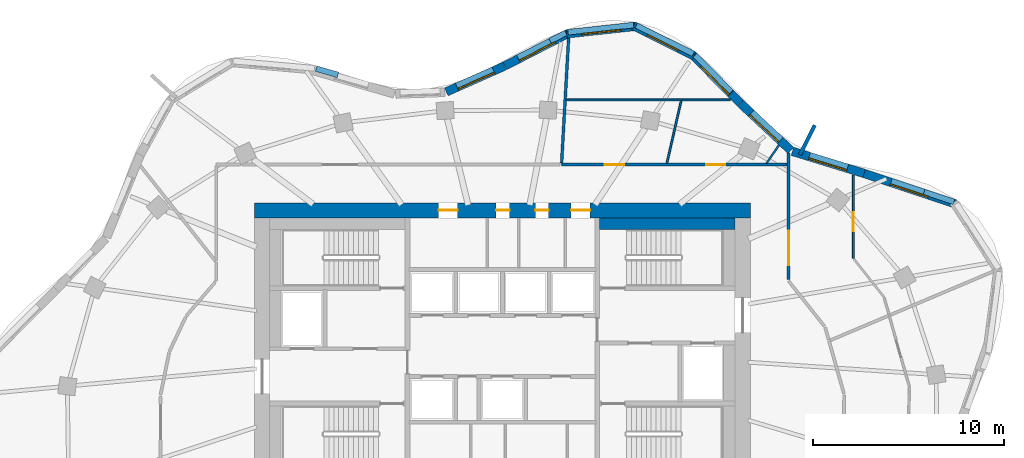
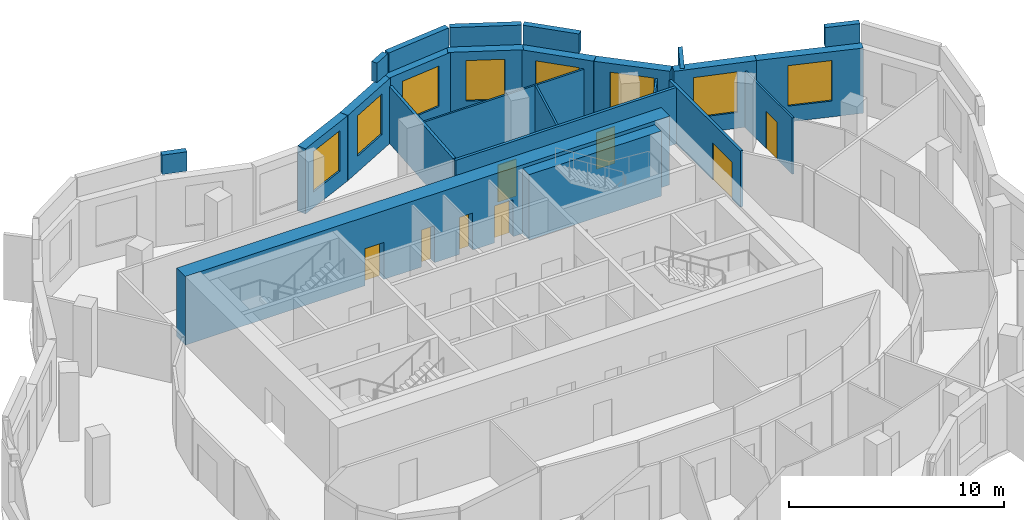
# One storey, part 8 of 10: 24 walls, 8 doors, 8 windows, 16 openings.
"""IFC4 building model written with IfcOpenShell, lengths in metres."""

from ifc_helpers import new_model, si_unit, direction, frame, frame_2d, origin, place, context, subcontext, project, spatial, rectangle, extrude, material, layer, layer_set, type_object, element, fill, save


model = new_model("IFC4")

# Units and contexts
model_context = context("Model", 3, precision=1e-05, world=origin(), true_north=direction((0.0, 1.0)))
body_context = subcontext(model_context, "Body", "Model", "MODEL_VIEW")
ifc_project = project(units=[si_unit("LENGTHUNIT", "METRE"), si_unit("AREAUNIT", "SQUARE_METRE"), si_unit("VOLUMEUNIT", "CUBIC_METRE"), si_unit("PLANEANGLEUNIT", "RADIAN"), si_unit("MASSUNIT", "GRAM", prefix="KILO")], contexts=[model_context])

# Site, building, storey
site_placement = place(None, origin())
site = spatial("IfcSite", under=ifc_project, at=site_placement, CompositionType="ELEMENT")
building_placement = place(site_placement, origin())
building = spatial("IfcBuilding", under=site, at=building_placement, Name="Rubra Terraces Tower", CompositionType="ELEMENT")
storey_placement = place(building_placement, frame((0.0, 0.0, 292.199951171875)))
storey = spatial("IfcBuildingStorey", under=building, at=storey_placement, Name="L72", CompositionType="ELEMENT", Elevation=292.199951171875)

# Wall, opening, window
ifc_material_1 = material(Name="Brick masonry red-brown", Category="masonry")
ifc_layer_1 = layer(ifc_material_1, 0.449951171875)
ifc_layer_set_1 = layer_set([ifc_layer_1], Name="Brick masonry red-brown")
wall_type_1 = type_object("IfcWallType", Name="Brick facade wall 450", PredefinedType="SOLIDWALL", material=ifc_layer_set_1)
wall_1_placement = place(storey_placement, frame((23.769775390625, 11.93798828125, 0.0), z_axis=(0.0, 0.0, 1.0), x_axis=(-0.948673679101, 0.316256621402, 0.0)))
wall_1 = element("IfcWall", 1, at=wall_1_placement, inside=storey, type_object=wall_type_1, Name="Facade wall L72 bay 4", PredefinedType="SOLIDWALL", context=body_context, shape_type="SweptSolid", body=[
    extrude(rectangle(XDim=5.076416015625, YDim=0.449951171875, at=frame_2d((2.5380859375, 0.0))), origin(), (0.0, 0.0, 1.0), 3.699951171875),
])
opening_1_placement = place(wall_1_placement, frame((1.48828125, 0.0, 0.89990234375)))
opening_1 = element("IfcOpeningElement", 2, at=opening_1_placement, cuts=wall_1, Name="Opening W1B", PredefinedType="OPENING", context=body_context, shape_type="SweptSolid", body=[
    extrude(rectangle(XDim=2.10009765625, YDim=2.300048828125, at=frame_2d((1.050048828125, 1.14990234375))), frame((0.0, 0.23486328125, 0.0), z_axis=(0.0, -1.0, 0.0), x_axis=(1.0, 0.0, 0.0)), (0.0, 0.0, 1.0), 0.469970703125),
])
ifc_material_2 = material(Name="Clear glass in aluminium frame", Category="aluminium")
window_type_1 = type_object("IfcWindowType", Name="Fixed deep-set window tall storey 2100 x 2300", PartitioningType="SINGLE_PANEL", PredefinedType="WINDOW", material=ifc_material_2)
window_1_placement = place(opening_1_placement, origin())
window_1 = element("IfcWindow", 3, at=window_1_placement, inside=storey, type_object=window_type_1, Name="Window L72 bay 4", OverallHeight=2.300048828125, OverallWidth=2.10009765625, PartitioningType="SINGLE_PANEL", PredefinedType="WINDOW", context=body_context, shape_type="SweptSolid", body=[
    extrude(rectangle(XDim=2.10009765625, YDim=2.300048828125, at=frame_2d((1.050048828125, 1.14990234375))), frame((0.0, 0.135009765625, 0.0), z_axis=(0.0, -1.0, 0.0), x_axis=(1.0, 0.0, 0.0)), (0.0, 0.0, 1.0), 0.06005859375),
])
fill(opening_1, window_1)

wall_2_placement = place(storey_placement, frame((18.95751953125, 13.542236328125, 0.0), z_axis=(0.0, 0.0, 1.0), x_axis=(-0.955792437529, 0.294042201668, 0.0)))
wall_2 = element("IfcWall", 4, at=wall_2_placement, inside=storey, type_object=wall_type_1, Name="Facade wall L72 bay 5", PredefinedType="SOLIDWALL", context=body_context, shape_type="SweptSolid", body=[
    extrude(rectangle(XDim=3.9306640625, YDim=0.449951171875, at=frame_2d((1.96533203125, 0.0))), origin(), (0.0, 0.0, 1.0), 3.699951171875),
])
opening_2_placement = place(wall_2_placement, frame((0.915283203125, 0.0, 0.89990234375)))
opening_2 = element("IfcOpeningElement", 5, at=opening_2_placement, cuts=wall_2, Name="Opening W1B", PredefinedType="OPENING", context=body_context, shape_type="SweptSolid", body=[
    extrude(rectangle(XDim=2.10009765625, YDim=2.300048828125, at=frame_2d((1.050048828125, 1.14990234375))), frame((0.0, 0.23486328125, 0.0), z_axis=(0.0, -1.0, 0.0), x_axis=(1.0, 0.0, 0.0)), (0.0, 0.0, 1.0), 0.469970703125),
])
window_2_placement = place(opening_2_placement, origin())
window_2 = element("IfcWindow", 6, at=window_2_placement, inside=storey, type_object=window_type_1, Name="Window L72 bay 5", OverallHeight=2.300048828125, OverallWidth=2.10009765625, PartitioningType="SINGLE_PANEL", PredefinedType="WINDOW", context=body_context, shape_type="SweptSolid", body=[
    extrude(rectangle(XDim=2.10009765625, YDim=2.300048828125, at=frame_2d((1.050048828125, 1.14990234375))), frame((0.0, 0.135009765625, 0.0), z_axis=(0.0, -1.0, 0.0), x_axis=(1.0, 0.0, 0.0)), (0.0, 0.0, 1.0), 0.06005859375),
])
fill(opening_2, window_2)

wall_3_placement = place(storey_placement, frame((15.120849609375, 14.744873046875, 0.0), z_axis=(0.0, 0.0, 1.0), x_axis=(-0.730618259172, 0.68278617397, 0.0)))
wall_3 = element("IfcWall", 7, at=wall_3_placement, inside=storey, type_object=wall_type_1, Name="Facade wall L72 bay 6", PredefinedType="SOLIDWALL", context=body_context, shape_type="SweptSolid", body=[
    extrude(rectangle(XDim=3.6240234375, YDim=0.449951171875, at=frame_2d((1.81201171875, 0.0))), origin(), (0.0, 0.0, 1.0), 3.699951171875),
])
opening_3_placement = place(wall_3_placement, frame((0.76220703125, 0.0, 0.89990234375)))
opening_3 = element("IfcOpeningElement", 8, at=opening_3_placement, cuts=wall_3, Name="Opening W1B", PredefinedType="OPENING", context=body_context, shape_type="SweptSolid", body=[
    extrude(rectangle(XDim=2.10009765625, YDim=2.300048828125, at=frame_2d((1.050048828125, 1.14990234375))), frame((0.0, 0.23486328125, 0.0), z_axis=(0.0, -1.0, 0.0), x_axis=(1.0, 0.0, 0.0)), (0.0, 0.0, 1.0), 0.469970703125),
])
window_3_placement = place(opening_3_placement, origin())
window_3 = element("IfcWindow", 9, at=window_3_placement, inside=storey, type_object=window_type_1, Name="Window L72 bay 6", OverallHeight=2.300048828125, OverallWidth=2.10009765625, PartitioningType="SINGLE_PANEL", PredefinedType="WINDOW", context=body_context, shape_type="SweptSolid", body=[
    extrude(rectangle(XDim=2.10009765625, YDim=2.300048828125, at=frame_2d((1.050048828125, 1.14990234375))), frame((0.0, 0.135009765625, 0.0), z_axis=(0.0, -1.0, 0.0), x_axis=(1.0, 0.0, 0.0)), (0.0, 0.0, 1.0), 0.06005859375),
])
fill(opening_3, window_3)

wall_4_placement = place(storey_placement, frame((12.46630859375, 17.2255859375, 0.0), z_axis=(0.0, 0.0, 1.0), x_axis=(-0.701875966769, 0.712299183821, 0.0)))
wall_4 = element("IfcWall", 10, at=wall_4_placement, inside=storey, type_object=wall_type_1, Name="Facade wall L72 bay 7", PredefinedType="SOLIDWALL", context=body_context, shape_type="SweptSolid", body=[
    extrude(rectangle(XDim=3.536865234375, YDim=0.449951171875, at=frame_2d((1.7685546875, 0.0))), origin(), (0.0, 0.0, 1.0), 3.699951171875),
])
opening_4_placement = place(wall_4_placement, frame((0.71826171875, 0.0, 0.89990234375)))
opening_4 = element("IfcOpeningElement", 11, at=opening_4_placement, cuts=wall_4, Name="Opening W1B", PredefinedType="OPENING", context=body_context, shape_type="SweptSolid", body=[
    extrude(rectangle(XDim=2.10009765625, YDim=2.300048828125, at=frame_2d((1.050048828125, 1.14990234375))), frame((0.0, 0.23486328125, 0.0), z_axis=(0.0, -1.0, 0.0), x_axis=(1.0, 0.0, 0.0)), (0.0, 0.0, 1.0), 0.469970703125),
])
window_4_placement = place(opening_4_placement, origin())
window_4 = element("IfcWindow", 12, at=window_4_placement, inside=storey, type_object=window_type_1, Name="Window L72 bay 7", OverallHeight=2.300048828125, OverallWidth=2.10009765625, PartitioningType="SINGLE_PANEL", PredefinedType="WINDOW", context=body_context, shape_type="SweptSolid", body=[
    extrude(rectangle(XDim=2.10009765625, YDim=2.300048828125, at=frame_2d((1.050048828125, 1.14990234375))), frame((0.0, 0.135009765625, 0.0), z_axis=(0.0, -1.0, 0.0), x_axis=(1.0, 0.0, 0.0)), (0.0, 0.0, 1.0), 0.06005859375),
])
fill(opening_4, window_4)

wall_5_placement = place(storey_placement, frame((10.041748046875, 19.70361328125, 0.0), z_axis=(0.0, 0.0, 1.0), x_axis=(-0.895268695224, 0.445526613517, 0.0)))
wall_5 = element("IfcWall", 13, at=wall_5_placement, inside=storey, type_object=wall_type_1, Name="Facade wall L72 bay 8", PredefinedType="SOLIDWALL", context=body_context, shape_type="SweptSolid", body=[
    extrude(rectangle(XDim=3.532958984375, YDim=0.449951171875, at=frame_2d((1.7666015625, 0.0))), origin(), (0.0, 0.0, 1.0), 3.699951171875),
])
opening_5_placement = place(wall_5_placement, frame((0.866455078125, 0.0, 0.89990234375)))
opening_5 = element("IfcOpeningElement", 14, at=opening_5_placement, cuts=wall_5, Name="Opening W6B", PredefinedType="OPENING", context=body_context, shape_type="SweptSolid", body=[
    extrude(rectangle(XDim=1.800048828125, YDim=2.300048828125, at=frame_2d((0.89990234375, 1.14990234375))), frame((0.0, 0.23486328125, 0.0), z_axis=(0.0, -1.0, 0.0), x_axis=(1.0, 0.0, 0.0)), (0.0, 0.0, 1.0), 0.469970703125),
])
window_type_2 = type_object("IfcWindowType", Name="Fixed deep-set window at wind fin tall storey 1800 x 2300", PartitioningType="SINGLE_PANEL", PredefinedType="WINDOW", material=ifc_material_2)
window_5_placement = place(opening_5_placement, origin())
window_5 = element("IfcWindow", 15, at=window_5_placement, inside=storey, type_object=window_type_2, Name="Window L72 bay 8", OverallHeight=2.300048828125, OverallWidth=1.800048828125, PartitioningType="SINGLE_PANEL", PredefinedType="WINDOW", context=body_context, shape_type="SweptSolid", body=[
    extrude(rectangle(XDim=1.800048828125, YDim=2.300048828125, at=frame_2d((0.89990234375, 1.14990234375))), frame((0.0, 0.135009765625, 0.0), z_axis=(0.0, -1.0, 0.0), x_axis=(1.0, 0.0, 0.0)), (0.0, 0.0, 1.0), 0.06005859375),
])
fill(opening_5, window_5)

wall_6_placement = place(storey_placement, frame((7.00341796875, 21.25537109375, 0.0), z_axis=(0.0, 0.0, 1.0), x_axis=(-0.99407653264, -0.108682322638, 0.0)))
wall_6 = element("IfcWall", 16, at=wall_6_placement, inside=storey, type_object=wall_type_1, Name="Facade wall L72 bay 9", PredefinedType="SOLIDWALL", context=body_context, shape_type="SweptSolid", body=[
    extrude(rectangle(XDim=3.66162109375, YDim=0.449951171875, at=frame_2d((1.830810546875, 0.0))), origin(), (0.0, 0.0, 1.0), 3.699951171875),
])
opening_6_placement = place(wall_6_placement, frame((0.78076171875, 0.0, 0.89990234375)))
opening_6 = element("IfcOpeningElement", 17, at=opening_6_placement, cuts=wall_6, Name="Opening W1B", PredefinedType="OPENING", context=body_context, shape_type="SweptSolid", body=[
    extrude(rectangle(XDim=2.10009765625, YDim=2.300048828125, at=frame_2d((1.050048828125, 1.14990234375))), frame((0.0, 0.23486328125, 0.0), z_axis=(0.0, -1.0, 0.0), x_axis=(1.0, 0.0, 0.0)), (0.0, 0.0, 1.0), 0.469970703125),
])
window_6_placement = place(opening_6_placement, origin())
window_6 = element("IfcWindow", 18, at=window_6_placement, inside=storey, type_object=window_type_1, Name="Window L72 bay 9", OverallHeight=2.300048828125, OverallWidth=2.10009765625, PartitioningType="SINGLE_PANEL", PredefinedType="WINDOW", context=body_context, shape_type="SweptSolid", body=[
    extrude(rectangle(XDim=2.10009765625, YDim=2.300048828125, at=frame_2d((1.050048828125, 1.14990234375))), frame((0.0, 0.135009765625, 0.0), z_axis=(0.0, -1.0, 0.0), x_axis=(1.0, 0.0, 0.0)), (0.0, 0.0, 1.0), 0.06005859375),
])
fill(opening_6, window_6)

wall_7_placement = place(storey_placement, frame((3.439697265625, 20.879638671875, 0.0), z_axis=(0.0, 0.0, 1.0), x_axis=(-0.889471529144, -0.456990589446, 0.0)))
wall_7 = element("IfcWall", 19, at=wall_7_placement, inside=storey, type_object=wall_type_1, Name="Facade wall L72 bay 10", PredefinedType="SOLIDWALL", context=body_context, shape_type="SweptSolid", body=[
    extrude(rectangle(XDim=3.7353515625, YDim=0.449951171875, at=frame_2d((1.86767578125, 0.0))), origin(), (0.0, 0.0, 1.0), 3.699951171875),
])
opening_7_placement = place(wall_7_placement, frame((0.817626953125, 0.0, 0.89990234375)))
opening_7 = element("IfcOpeningElement", 20, at=opening_7_placement, cuts=wall_7, Name="Opening W1B", PredefinedType="OPENING", context=body_context, shape_type="SweptSolid", body=[
    extrude(rectangle(XDim=2.10009765625, YDim=2.300048828125, at=frame_2d((1.050048828125, 1.14990234375))), frame((0.0, 0.23486328125, 0.0), z_axis=(0.0, -1.0, 0.0), x_axis=(1.0, 0.0, 0.0)), (0.0, 0.0, 1.0), 0.469970703125),
])
window_7_placement = place(opening_7_placement, origin())
window_7 = element("IfcWindow", 21, at=window_7_placement, inside=storey, type_object=window_type_1, Name="Window L72 bay 10", OverallHeight=2.300048828125, OverallWidth=2.10009765625, PartitioningType="SINGLE_PANEL", PredefinedType="WINDOW", context=body_context, shape_type="SweptSolid", body=[
    extrude(rectangle(XDim=2.10009765625, YDim=2.300048828125, at=frame_2d((1.050048828125, 1.14990234375))), frame((0.0, 0.135009765625, 0.0), z_axis=(0.0, -1.0, 0.0), x_axis=(1.0, 0.0, 0.0)), (0.0, 0.0, 1.0), 0.06005859375),
])
fill(opening_7, window_7)

wall_8_placement = place(storey_placement, frame((0.105224609375, 19.1669921875, 0.0), z_axis=(0.0, 0.0, 1.0), x_axis=(-0.91414046241, -0.405397601109, 0.0)))
wall_8 = element("IfcWall", 22, at=wall_8_placement, inside=storey, type_object=wall_type_1, Name="Facade wall L72 bay 11", PredefinedType="SOLIDWALL", context=body_context, shape_type="SweptSolid", body=[
    extrude(rectangle(XDim=3.333251953125, YDim=0.449951171875, at=frame_2d((1.66650390625, 0.0))), origin(), (0.0, 0.0, 1.0), 3.699951171875),
])
opening_8_placement = place(wall_8_placement, frame((0.61669921875, 0.0, 0.89990234375)))
opening_8 = element("IfcOpeningElement", 23, at=opening_8_placement, cuts=wall_8, Name="Opening W1B", PredefinedType="OPENING", context=body_context, shape_type="SweptSolid", body=[
    extrude(rectangle(XDim=2.10009765625, YDim=2.300048828125, at=frame_2d((1.050048828125, 1.14990234375))), frame((0.0, 0.23486328125, 0.0), z_axis=(0.0, -1.0, 0.0), x_axis=(1.0, 0.0, 0.0)), (0.0, 0.0, 1.0), 0.469970703125),
])
window_8_placement = place(opening_8_placement, origin())
window_8 = element("IfcWindow", 24, at=window_8_placement, inside=storey, type_object=window_type_1, Name="Window L72 bay 11", OverallHeight=2.300048828125, OverallWidth=2.10009765625, PartitioningType="SINGLE_PANEL", PredefinedType="WINDOW", context=body_context, shape_type="SweptSolid", body=[
    extrude(rectangle(XDim=2.10009765625, YDim=2.300048828125, at=frame_2d((1.050048828125, 1.14990234375))), frame((0.0, 0.135009765625, 0.0), z_axis=(0.0, -1.0, 0.0), x_axis=(1.0, 0.0, 0.0)), (0.0, 0.0, 1.0), 0.06005859375),
])
fill(opening_8, window_8)

# Walls
ifc_layer_2 = layer(ifc_material_1, 0.300048828125)
ifc_layer_set_2 = layer_set([ifc_layer_2], Name="Brick masonry red-brown")
wall_type_2 = type_object("IfcWallType", Name="Brick parapet 300", PredefinedType="PARAPET", material=ifc_layer_set_2)
wall_9_placement = place(storey_placement, frame((23.669677734375, 12.05029296875, 3.900146484375), z_axis=(0.0, 0.0, 1.0), x_axis=(-0.948683298051, 0.316227766017, 0.0)))
element("IfcWall", 25, at=wall_9_placement, inside=storey, type_object=wall_type_2, Name="Parapet L72 bay 4", PredefinedType="PARAPET", context=body_context, shape_type="SweptSolid", body=[
    extrude(rectangle(XDim=1.654541015625, YDim=0.300048828125, at=frame_2d((0.8271484375, 0.0))), origin(), (0.0, 0.0, 1.0), 1.099853515625),
])
wall_10_placement = place(storey_placement, frame((12.00048828125, 17.805419921875, 3.900146484375), z_axis=(0.0, 0.0, 1.0), x_axis=(-0.701926718972, 0.712249170721, 0.0)))
element("IfcWall", 26, at=wall_10_placement, inside=storey, type_object=wall_type_2, Name="Parapet L72 bay 7", PredefinedType="PARAPET", context=body_context, shape_type="SweptSolid", body=[
    extrude(rectangle(XDim=2.719970703125, YDim=0.300048828125, at=frame_2d((1.35986328125, 0.0))), origin(), (0.0, 0.0, 1.0), 1.099853515625),
])
wall_11_placement = place(storey_placement, frame((10.00341796875, 19.806396484375, 3.900146484375), z_axis=(0.0, 0.0, 1.0), x_axis=(-0.895289404401, 0.445484996793, 0.0)))
element("IfcWall", 27, at=wall_11_placement, inside=storey, type_object=wall_type_2, Name="Parapet L72 bay 8", PredefinedType="PARAPET", context=body_context, shape_type="SweptSolid", body=[
    extrude(rectangle(XDim=3.334716796875, YDim=0.300048828125, at=frame_2d((1.66748046875, 0.0))), origin(), (0.0, 0.0, 1.0), 1.099853515625),
])
wall_12_placement = place(storey_placement, frame((6.8779296875, 21.317138671875, 3.900146484375), z_axis=(0.0, 0.0, 1.0), x_axis=(-0.994072526282, -0.108718961045, 0.0)))
element("IfcWall", 28, at=wall_12_placement, inside=storey, type_object=wall_type_2, Name="Parapet L72 bay 9", PredefinedType="PARAPET", context=body_context, shape_type="SweptSolid", body=[
    extrude(rectangle(XDim=3.458251953125, YDim=0.300048828125, at=frame_2d((1.72900390625, 0.0))), origin(), (0.0, 0.0, 1.0), 1.099853515625),
])
wall_13_placement = place(storey_placement, frame((3.33154296875, 20.908447265625, 3.900146484375), z_axis=(0.0, 0.0, 1.0), x_axis=(-0.88945787834, -0.457017157948, 0.0)))
element("IfcWall", 29, at=wall_13_placement, inside=storey, type_object=wall_type_2, Name="Parapet L72 bay 10", PredefinedType="PARAPET", context=body_context, shape_type="SweptSolid", body=[
    extrude(rectangle(XDim=0.933837890625, YDim=0.300048828125, at=frame_2d((0.466796875, 0.0))), origin(), (0.0, 0.0, 1.0), 1.099853515625),
])
wall_14_placement = place(storey_placement, frame((-8.618896484375, 18.704345703125, 3.900146484375), z_axis=(0.0, 0.0, 1.0), x_axis=(-0.961097843869, 0.276208136212, 0.0)))
element("IfcWall", 30, at=wall_14_placement, inside=storey, type_object=wall_type_2, Name="Parapet L72 bay 13", PredefinedType="PARAPET", context=body_context, shape_type="SweptSolid", body=[
    extrude(rectangle(XDim=1.1923828125, YDim=0.300048828125, at=frame_2d((0.59619140625, 0.0))), origin(), (0.0, 0.0, 1.0), 1.099853515625),
])
ifc_layer_3 = layer(ifc_material_1, 0.199951171875)
ifc_layer_set_3 = layer_set([ifc_layer_3], Name="Brick masonry red-brown")
wall_type_3 = type_object("IfcWallType", Name="Brick wind fin 200", PredefinedType="SOLIDWALL", material=ifc_layer_set_3)
wall_15_placement = place(storey_placement, frame((15.5869140625, 14.507080078125, 0.0), z_axis=(0.0, 0.0, 1.0), x_axis=(0.452117231361, 0.89195852432, 0.0)))
element("IfcWall", 31, at=wall_15_placement, inside=storey, type_object=wall_type_3, Name="Wind fin L72 3", PredefinedType="SOLIDWALL", context=body_context, shape_type="SweptSolid", body=[
    extrude(rectangle(XDim=1.75, YDim=0.199951171875, at=frame_2d((0.875, 0.0))), origin(), (0.0, 0.0, 1.0), 3.699951171875),
])

# Wall, openings, doors
ifc_material_3 = material(Name="Concrete C50", Category="concrete")
ifc_layer_4 = layer(ifc_material_3, 0.800048828125)
ifc_layer_set_4 = layer_set([ifc_layer_4], Name="Concrete C50")
wall_type_4 = type_object("IfcWallType", Name="CORE WALL 800 C50", PredefinedType="SHEAR", material=ifc_layer_set_4)
wall_16_placement = place(storey_placement, frame((-13.0, 11.60009765625, 0.0), z_axis=(0.0, 0.0, 1.0), x_axis=(1.0, 0.0, 0.0)))
wall_16 = element("IfcWall", 32, at=wall_16_placement, inside=storey, type_object=wall_type_4, Name="CORE WALL N L72", PredefinedType="SHEAR", context=body_context, shape_type="SweptSolid", body=[
    extrude(rectangle(XDim=26.0, YDim=0.800048828125, at=frame_2d((13.0, 0.0))), origin(), (0.0, 0.0, 1.0), 3.900146484375),
])
opening_9_placement = place(wall_16_placement, frame((9.64990234375, 0.0, 0.0)))
opening_9 = element("IfcOpeningElement", 33, at=opening_9_placement, cuts=wall_16, Name="Opening L72.C25", PredefinedType="OPENING", context=body_context, shape_type="SweptSolid", body=[
    extrude(rectangle(XDim=1.0, YDim=2.10009765625, at=frame_2d((0.5, 1.050048828125))), frame((0.0, 0.409912109375, 0.0), z_axis=(0.0, -1.0, 0.0), x_axis=(1.0, 0.0, 0.0)), (0.0, 0.0, 1.0), 0.820068359375),
])
opening_10_placement = place(wall_16_placement, frame((12.675048828125, 0.0, 0.0)))
opening_10 = element("IfcOpeningElement", 34, at=opening_10_placement, cuts=wall_16, Name="Opening L72.C26", PredefinedType="OPENING", context=body_context, shape_type="SweptSolid", body=[
    extrude(rectangle(XDim=0.699951171875, YDim=2.10009765625, at=frame_2d((0.35009765625, 1.050048828125))), frame((0.0, 0.409912109375, 0.0), z_axis=(0.0, -1.0, 0.0), x_axis=(1.0, 0.0, 0.0)), (0.0, 0.0, 1.0), 0.820068359375),
])
opening_11_placement = place(wall_16_placement, frame((14.72509765625, 0.0, 0.0)))
opening_11 = element("IfcOpeningElement", 35, at=opening_11_placement, cuts=wall_16, Name="Opening L72.C27", PredefinedType="OPENING", context=body_context, shape_type="SweptSolid", body=[
    extrude(rectangle(XDim=0.699951171875, YDim=2.10009765625, at=frame_2d((0.35009765625, 1.050048828125))), frame((0.0, 0.409912109375, 0.0), z_axis=(0.0, -1.0, 0.0), x_axis=(1.0, 0.0, 0.0)), (0.0, 0.0, 1.0), 0.820068359375),
])
opening_12_placement = place(wall_16_placement, frame((16.60009765625, 0.0, 0.0)))
opening_12 = element("IfcOpeningElement", 36, at=opening_12_placement, cuts=wall_16, Name="Opening L72.C28", PredefinedType="OPENING", context=body_context, shape_type="SweptSolid", body=[
    extrude(rectangle(XDim=1.0, YDim=2.10009765625, at=frame_2d((0.5, 1.050048828125))), frame((0.0, 0.409912109375, 0.0), z_axis=(0.0, -1.0, 0.0), x_axis=(1.0, 0.0, 0.0)), (0.0, 0.0, 1.0), 0.820068359375),
])
ifc_material_4 = material(Name="Painted steel", Category="steel")
door_type_1 = type_object("IfcDoorType", Name="Fire door 1000x2100 single", OperationType="NOTDEFINED", PredefinedType="DOOR", material=ifc_material_4)
door_1_placement = place(opening_9_placement, origin())
door_1 = element("IfcDoor", 37, at=door_1_placement, inside=storey, type_object=door_type_1, Name="Tea point door", OperationType="SINGLE_SWING_LEFT", OverallHeight=2.10009765625, OverallWidth=1.0, PredefinedType="DOOR", context=body_context, shape_type="SweptSolid", body=[
    extrude(rectangle(XDim=1.0, YDim=2.10009765625, at=frame_2d((0.5, 1.050048828125))), frame((0.0, 0.02490234375, 0.0), z_axis=(0.0, -1.0, 0.0), x_axis=(1.0, 0.0, 0.0)), (0.0, 0.0, 1.0), 0.050048828125),
])
fill(opening_9, door_1)
door_2_placement = place(opening_12_placement, origin())
door_2 = element("IfcDoor", 38, at=door_2_placement, inside=storey, type_object=door_type_1, Name="General store door", OperationType="SINGLE_SWING_RIGHT", OverallHeight=2.10009765625, OverallWidth=1.0, PredefinedType="DOOR", context=body_context, shape_type="SweptSolid", body=[
    extrude(rectangle(XDim=1.0, YDim=2.10009765625, at=frame_2d((0.5, 1.050048828125))), frame((0.0, 0.02490234375, 0.0), z_axis=(0.0, -1.0, 0.0), x_axis=(1.0, 0.0, 0.0)), (0.0, 0.0, 1.0), 0.050048828125),
])
fill(opening_12, door_2)
door_type_2 = type_object("IfcDoorType", Name="Riser access door 700x2100 single", OperationType="NOTDEFINED", PredefinedType="DOOR", material=ifc_material_4)
door_3_placement = place(opening_10_placement, origin())
door_3 = element("IfcDoor", 39, at=door_3_placement, inside=storey, type_object=door_type_2, Name="Electrical riser room door", OperationType="SINGLE_SWING_RIGHT", OverallHeight=2.10009765625, OverallWidth=0.699951171875, PredefinedType="DOOR", context=body_context, shape_type="SweptSolid", body=[
    extrude(rectangle(XDim=0.699951171875, YDim=2.10009765625, at=frame_2d((0.35009765625, 1.050048828125))), frame((0.0, 0.02490234375, 0.0), z_axis=(0.0, -1.0, 0.0), x_axis=(1.0, 0.0, 0.0)), (0.0, 0.0, 1.0), 0.050048828125),
])
fill(opening_10, door_3)
door_4_placement = place(opening_11_placement, origin())
door_4 = element("IfcDoor", 40, at=door_4_placement, inside=storey, type_object=door_type_2, Name="Telecoms room door", OperationType="SINGLE_SWING_LEFT", OverallHeight=2.10009765625, OverallWidth=0.699951171875, PredefinedType="DOOR", context=body_context, shape_type="SweptSolid", body=[
    extrude(rectangle(XDim=0.699951171875, YDim=2.10009765625, at=frame_2d((0.35009765625, 1.050048828125))), frame((0.0, 0.02490234375, 0.0), z_axis=(0.0, -1.0, 0.0), x_axis=(1.0, 0.0, 0.0)), (0.0, 0.0, 1.0), 0.050048828125),
])
fill(opening_11, door_4)

# Wall, opening, door
ifc_material_5 = material(Name="Plasterboard on steel stud, mineral wool infill", Category="steel")
ifc_layer_5 = layer(ifc_material_5, 0.14990234375)
ifc_layer_set_5 = layer_set([ifc_layer_5], Name="Plasterboard on steel stud, mineral wool infill")
wall_type_5 = type_object("IfcWallType", Name="CORRIDOR PARTITION 150", PredefinedType="PARTITIONING", material=ifc_layer_set_5)
wall_17_placement = place(storey_placement, frame((15.0, 7.979248046875, 0.0), z_axis=(0.0, 0.0, 1.0), x_axis=(0.0, 1.0, 0.0)))
wall_17 = element("IfcWall", 41, at=wall_17_placement, inside=storey, type_object=wall_type_5, Name="PARTITION", PredefinedType="PARTITIONING", context=body_context, shape_type="SweptSolid", body=[
    extrude(rectangle(XDim=6.626220703125, YDim=0.14990234375, at=frame_2d((3.31298828125, 0.0))), origin(), (0.0, 0.0, 1.0), 3.197998046875),
])
opening_13_placement = place(wall_17_placement, frame((0.759033203125, 0.0, 0.0)))
opening_13 = element("IfcOpeningElement", 42, at=opening_13_placement, cuts=wall_17, Name="Opening 72-111", PredefinedType="OPENING", context=body_context, shape_type="SweptSolid", body=[
    extrude(rectangle(XDim=1.800048828125, YDim=2.10009765625, at=frame_2d((0.89990234375, 1.050048828125))), frame((0.0, 0.0849609375, 0.0), z_axis=(0.0, -1.0, 0.0), x_axis=(1.0, 0.0, 0.0)), (0.0, 0.0, 1.0), 0.169921875),
])
ifc_material_6 = material(Name="Painted timber door leaf, double", Category="wood")
door_type_3 = type_object("IfcDoorType", Name="ROOM DOUBLE DOOR 1800 X 2100", OperationType="DOUBLE_DOOR_SINGLE_SWING", PredefinedType="DOOR", material=ifc_material_6)
door_5_placement = place(opening_13_placement, origin())
door_5 = element("IfcDoor", 43, at=door_5_placement, inside=storey, type_object=door_type_3, Name="DOOR 72-111", OperationType="DOUBLE_DOOR_SINGLE_SWING", OverallHeight=2.10009765625, OverallWidth=1.800048828125, PredefinedType="DOOR", context=body_context, shape_type="SweptSolid", body=[
    extrude(rectangle(XDim=1.800048828125, YDim=2.10009765625, at=frame_2d((0.89990234375, 1.050048828125))), frame((0.0, 0.02490234375, 0.0), z_axis=(0.0, -1.0, 0.0), x_axis=(1.0, 0.0, 0.0)), (0.0, 0.0, 1.0), 0.050048828125),
])
fill(opening_13, door_5)

# Wall, openings, doors
wall_18_placement = place(storey_placement, frame((14.925048828125, 14.0, 0.0), z_axis=(0.0, 0.0, 1.0), x_axis=(-1.0, 0.0, 0.0)))
wall_18 = element("IfcWall", 44, at=wall_18_placement, inside=storey, type_object=wall_type_5, Name="PARTITION", PredefinedType="PARTITIONING", context=body_context, shape_type="SweptSolid", body=[
    extrude(rectangle(XDim=11.8271484375, YDim=0.14990234375, at=frame_2d((5.91357421875, 0.0))), origin(), (0.0, 0.0, 1.0), 3.197998046875),
])
opening_14_placement = place(wall_18_placement, frame((3.25, 0.0, 0.0)))
opening_14 = element("IfcOpeningElement", 45, at=opening_14_placement, cuts=wall_18, Name="Opening 72-120", PredefinedType="OPENING", context=body_context, shape_type="SweptSolid", body=[
    extrude(rectangle(XDim=1.0, YDim=2.10009765625, at=frame_2d((0.5, 1.050048828125))), frame((0.0, 0.0849609375, 0.0), z_axis=(0.0, -1.0, 0.0), x_axis=(1.0, 0.0, 0.0)), (0.0, 0.0, 1.0), 0.169921875),
])
opening_15_placement = place(wall_18_placement, frame((8.550048828125, 0.0, 0.0)))
opening_15 = element("IfcOpeningElement", 46, at=opening_15_placement, cuts=wall_18, Name="Opening 72-121", PredefinedType="OPENING", context=body_context, shape_type="SweptSolid", body=[
    extrude(rectangle(XDim=1.0, YDim=2.10009765625, at=frame_2d((0.5, 1.050048828125))), frame((0.0, 0.0849609375, 0.0), z_axis=(0.0, -1.0, 0.0), x_axis=(1.0, 0.0, 0.0)), (0.0, 0.0, 1.0), 0.169921875),
])
ifc_material_7 = material(Name="Painted timber door leaf", Category="wood")
door_type_4 = type_object("IfcDoorType", Name="ROOM DOOR 1000 X 2100", OperationType="SINGLE_SWING_LEFT", PredefinedType="DOOR", material=ifc_material_7)
door_6_placement = place(opening_14_placement, origin())
door_6 = element("IfcDoor", 47, at=door_6_placement, inside=storey, type_object=door_type_4, Name="DOOR 72-120", OperationType="SINGLE_SWING_RIGHT", OverallHeight=2.10009765625, OverallWidth=1.0, PredefinedType="DOOR", context=body_context, shape_type="SweptSolid", body=[
    extrude(rectangle(XDim=1.0, YDim=2.10009765625, at=frame_2d((0.5, 1.050048828125))), frame((0.0, 0.02490234375, 0.0), z_axis=(0.0, -1.0, 0.0), x_axis=(1.0, 0.0, 0.0)), (0.0, 0.0, 1.0), 0.050048828125),
])
fill(opening_14, door_6)
door_7_placement = place(opening_15_placement, origin())
door_7 = element("IfcDoor", 48, at=door_7_placement, inside=storey, type_object=door_type_4, Name="DOOR 72-121", OperationType="SINGLE_SWING_RIGHT", OverallHeight=2.10009765625, OverallWidth=1.0, PredefinedType="DOOR", context=body_context, shape_type="SweptSolid", body=[
    extrude(rectangle(XDim=1.0, YDim=2.10009765625, at=frame_2d((0.5, 1.050048828125))), frame((0.0, 0.02490234375, 0.0), z_axis=(0.0, -1.0, 0.0), x_axis=(1.0, 0.0, 0.0)), (0.0, 0.0, 1.0), 0.050048828125),
])
fill(opening_15, door_7)

# Walls
ifc_material_8 = material(Name="Concrete C40", Category="concrete")
ifc_layer_6 = layer(ifc_material_8, 0.60009765625)
ifc_layer_set_6 = layer_set([ifc_layer_6], Name="Concrete C40")
wall_type_6 = type_object("IfcWallType", Name="Core lining wall 600 concrete", PredefinedType="SOLIDWALL", material=ifc_layer_set_6)
wall_19_placement = place(storey_placement, frame((12.199951171875, 10.89990234375, 0.0), z_axis=(0.0, 0.0, 1.0), x_axis=(-1.0, 0.0, 0.0)))
element("IfcWall", 49, at=wall_19_placement, inside=storey, type_object=wall_type_6, Name="CORE LINING WALL L72", PredefinedType="SOLIDWALL", context=body_context, shape_type="SweptSolid", body=[
    extrude(rectangle(XDim=7.099853515625, YDim=0.60009765625, at=frame_2d((3.5498046875, 0.0))), origin(), (0.0, 0.0, 1.0), 3.699951171875),
])
ifc_material_9 = material(Name="Plasterboard on steel stud", Category="steel")
ifc_layer_7 = layer(ifc_material_9, 0.10009765625)
ifc_layer_set_7 = layer_set([ifc_layer_7], Name="Plasterboard on steel stud")
wall_type_7 = type_object("IfcWallType", Name="ROOM PARTITION 100", PredefinedType="PARTITIONING", material=ifc_layer_set_7)
wall_20_placement = place(storey_placement, frame((3.30859375, 17.39990234375, 0.0), z_axis=(0.0, 0.0, 1.0), x_axis=(1.0, 0.0, 0.0)))
element("IfcWall", 50, at=wall_20_placement, inside=storey, type_object=wall_type_7, Name="PARTITION", PredefinedType="PARTITIONING", context=body_context, shape_type="SweptSolid", body=[
    extrude(rectangle(XDim=8.64208984375, YDim=0.10009765625, at=frame_2d((4.321044921875, 0.0))), origin(), (0.0, 0.0, 1.0), 3.197998046875),
])

# Wall, opening, door
wall_21_placement = place(storey_placement, frame((18.39990234375, 13.45751953125, 0.0), z_axis=(0.0, 0.0, 1.0), x_axis=(0.0, -1.0, 0.0)))
wall_21 = element("IfcWall", 51, at=wall_21_placement, inside=storey, type_object=wall_type_7, Name="PARTITION", PredefinedType="PARTITIONING", context=body_context, shape_type="SweptSolid", body=[
    extrude(rectangle(XDim=4.371826171875, YDim=0.10009765625, at=frame_2d((2.18603515625, 0.0))), origin(), (0.0, 0.0, 1.0), 3.197998046875),
])
opening_16_placement = place(wall_21_placement, frame((1.949951171875, 0.0, 0.0)))
opening_16 = element("IfcOpeningElement", 52, at=opening_16_placement, cuts=wall_21, Name="Opening 72-119", PredefinedType="OPENING", context=body_context, shape_type="SweptSolid", body=[
    extrude(rectangle(XDim=1.0, YDim=2.10009765625, at=frame_2d((0.5, 1.050048828125))), frame((0.0, 0.06005859375, 0.0), z_axis=(0.0, -1.0, 0.0), x_axis=(1.0, 0.0, 0.0)), (0.0, 0.0, 1.0), 0.1201171875),
])
door_8_placement = place(opening_16_placement, origin())
door_8 = element("IfcDoor", 53, at=door_8_placement, inside=storey, type_object=door_type_4, Name="DOOR 72-119", OperationType="SINGLE_SWING_LEFT", OverallHeight=2.10009765625, OverallWidth=1.0, PredefinedType="DOOR", context=body_context, shape_type="SweptSolid", body=[
    extrude(rectangle(XDim=1.0, YDim=2.10009765625, at=frame_2d((0.5, 1.050048828125))), frame((0.0, 0.02490234375, 0.0), z_axis=(0.0, -1.0, 0.0), x_axis=(1.0, 0.0, 0.0)), (0.0, 0.0, 1.0), 0.050048828125),
])
fill(opening_16, door_8)

# Walls
wall_22_placement = place(storey_placement, frame((13.836669921875, 14.06201171875, 0.0), z_axis=(0.0, 0.0, 1.0), x_axis=(0.565495744886, 0.824751212497, 0.0)))
element("IfcWall", 54, at=wall_22_placement, inside=storey, type_object=wall_type_7, Name="PARTITION", PredefinedType="PARTITIONING", context=body_context, shape_type="SweptSolid", body=[
    extrude(rectangle(XDim=1.163818359375, YDim=0.10009765625, at=frame_2d((0.58203125, 0.0))), origin(), (0.0, 0.0, 1.0), 3.197998046875),
])
wall_23_placement = place(storey_placement, frame((8.618408203125, 14.072998046875, 0.0), z_axis=(0.0, 0.0, 1.0), x_axis=(0.224048430302, 0.974578011695, 0.0)))
element("IfcWall", 55, at=wall_23_placement, inside=storey, type_object=wall_type_7, Name="PARTITION", PredefinedType="PARTITIONING", context=body_context, shape_type="SweptSolid", body=[
    extrude(rectangle(XDim=3.36376953125, YDim=0.10009765625, at=frame_2d((1.681884765625, 0.0))), origin(), (0.0, 0.0, 1.0), 3.197998046875),
])
ifc_layer_8 = layer(ifc_material_9, 0.14990234375)
ifc_layer_set_8 = layer_set([ifc_layer_8], Name="Plasterboard on steel stud")
wall_type_8 = type_object("IfcWallType", Name="ROOM PARTITION 150", PredefinedType="PARTITIONING", material=ifc_layer_set_8)
wall_24_placement = place(storey_placement, frame((3.47021484375, 20.63818359375, 0.0), z_axis=(0.0, 0.0, 1.0), x_axis=(-0.055969858851, -0.998432458857, 0.0)))
element("IfcWall", 56, at=wall_24_placement, inside=storey, type_object=wall_type_8, Name="PARTITION", PredefinedType="PARTITIONING", context=body_context, shape_type="SweptSolid", body=[
    extrude(rectangle(XDim=6.573486328125, YDim=0.14990234375, at=frame_2d((3.28662109375, 0.0))), origin(), (0.0, 0.0, 1.0), 3.234130859375),
])

save(model, "model.ifc")
